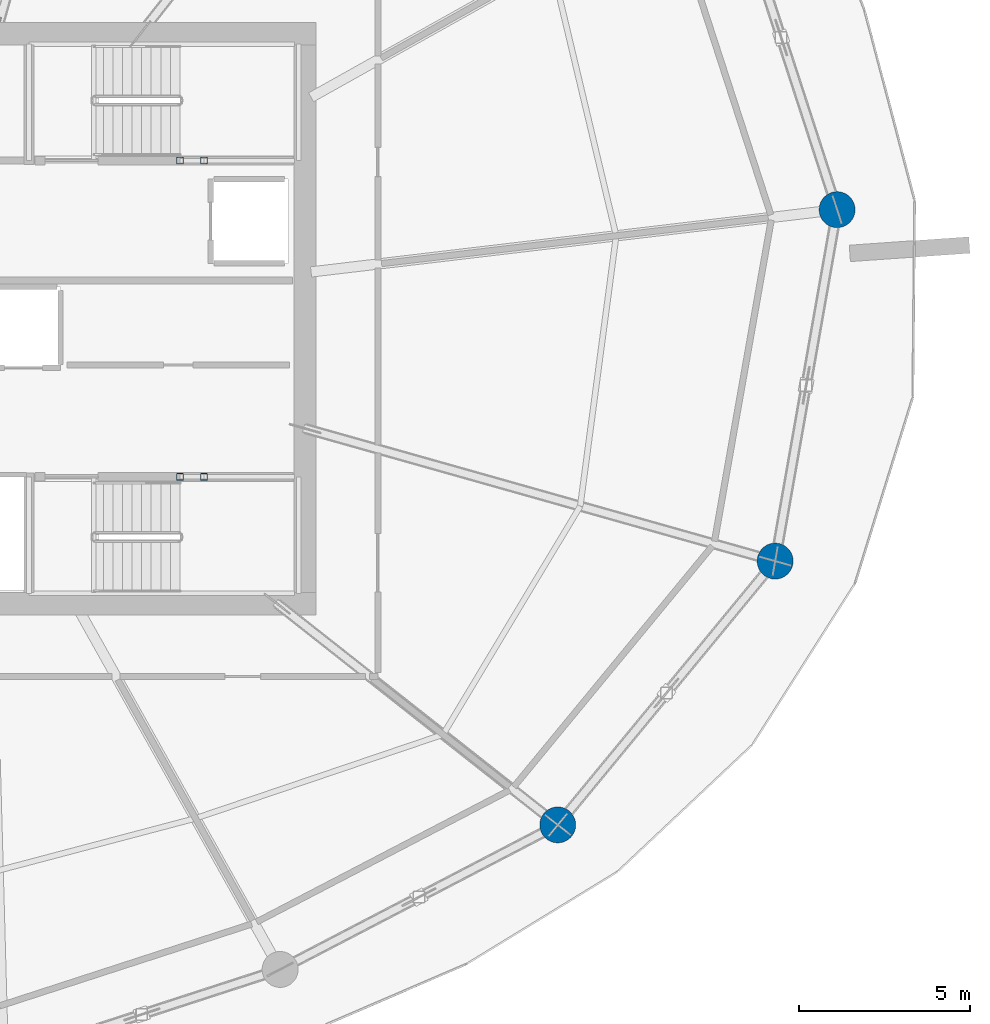
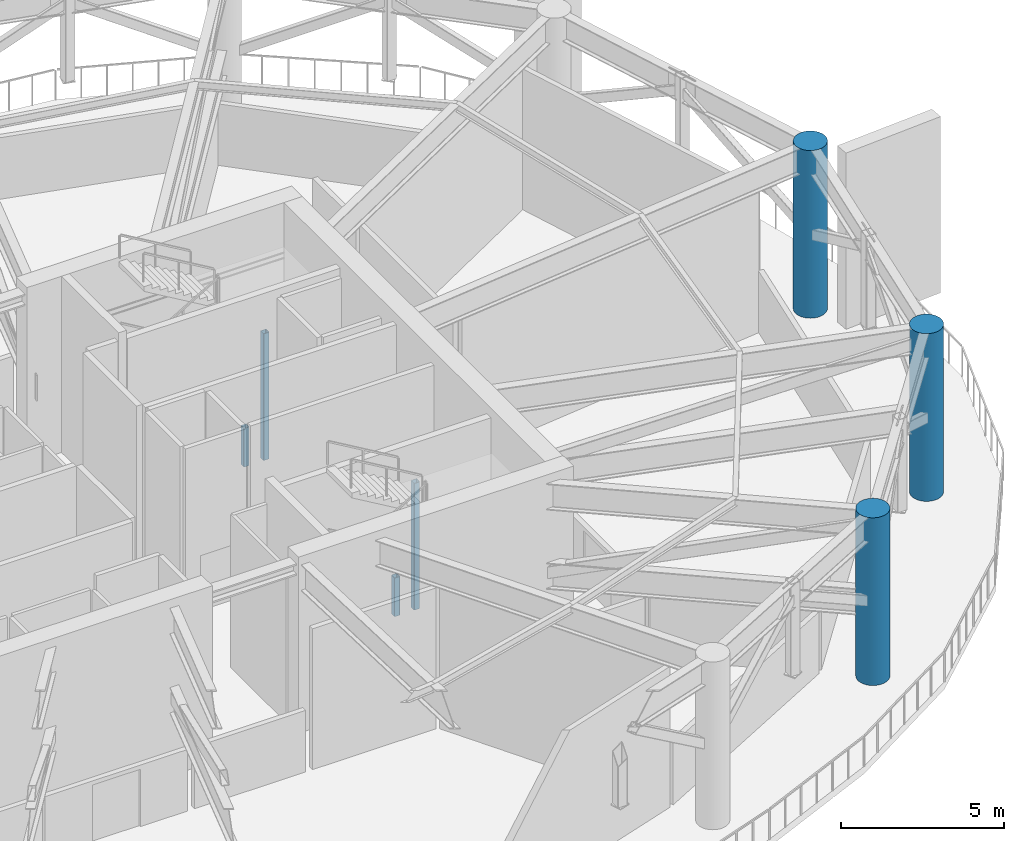
# One storey, part 3 of 20: 7 columns.
"""IFC4 building model written with IfcOpenShell, lengths in metres."""

from ifc_helpers import new_model, si_unit, direction, frame, origin, origin_2d, place, context, subcontext, project, spatial, hollow_rectangle, circle, extrude, material, material_profile, profile_set, type_object, element, save


model = new_model("IFC4")

# Units and contexts
model_context = context("Model", 3, precision=1e-05, world=origin(), true_north=direction((0.0, 1.0)))
body_context = subcontext(model_context, "Body", "Model", "MODEL_VIEW")
ifc_project = project(units=[si_unit("LENGTHUNIT", "METRE"), si_unit("AREAUNIT", "SQUARE_METRE"), si_unit("VOLUMEUNIT", "CUBIC_METRE"), si_unit("PLANEANGLEUNIT", "RADIAN"), si_unit("MASSUNIT", "GRAM", prefix="KILO")], contexts=[model_context])

# Site, building, storey
site_placement = place(None, origin())
site = spatial("IfcSite", under=ifc_project, at=site_placement, CompositionType="ELEMENT")
building_placement = place(site_placement, origin())
building = spatial("IfcBuilding", under=site, at=building_placement, Name="Kazma Halo Residences", CompositionType="ELEMENT")
storey_placement = place(building_placement, frame((0.0, 0.0, 225.300048828125)))
storey = spatial("IfcBuildingStorey", under=building, at=storey_placement, Name="L57", CompositionType="ELEMENT", Elevation=225.300048828125)

# Columns
ifc_material_1 = material(Name="Steel S355", Category="steel")
ifc_material_profile_1 = material_profile(ifc_material_1, hollow_rectangle(XDim=0.199951171875, YDim=0.199951171875, WallThickness=0.010009765625, InnerFilletRadius=0.010009765625, OuterFilletRadius=0.02001953125, at=origin_2d()), Name="SHS200x200x10")
ifc_profile_set_1 = profile_set([ifc_material_profile_1], Name="Steel S355")
column_type_1 = type_object("IfcColumnType", Name="COL-LP-SHS200", PredefinedType="COLUMN", material=ifc_profile_set_1)
column_1_placement = place(storey_placement, frame((55.719970703125, 46.6201171875, 0.0), z_axis=(0.0, 0.0, 1.0), x_axis=(1.0, 0.0, 0.0)))
element("IfcColumn", 1, at=column_1_placement, inside=storey, type_object=column_type_1, Name="L57 ST-02 landing pilaster 1", PredefinedType="COLUMN", context=body_context, shape_type="SweptSolid", body=[
    extrude(hollow_rectangle(XDim=0.199951171875, YDim=0.199951171875, WallThickness=0.010009765625, InnerFilletRadius=0.010009765625, OuterFilletRadius=0.02001953125, at=origin_2d()), origin(), (0.0, 0.0, 1.0), 1.445068359375),
])
column_2_placement = place(storey_placement, frame((56.419921875, 46.6201171875, 0.0), z_axis=(0.0, 0.0, 1.0), x_axis=(1.0, 0.0, 0.0)))
element("IfcColumn", 2, at=column_2_placement, inside=storey, type_object=column_type_1, Name="L57 ST-02 landing pilaster 3", PredefinedType="COLUMN", context=body_context, shape_type="SweptSolid", body=[
    extrude(hollow_rectangle(XDim=0.199951171875, YDim=0.199951171875, WallThickness=0.010009765625, InnerFilletRadius=0.010009765625, OuterFilletRadius=0.02001953125, at=origin_2d()), origin(), (0.0, 0.0, 1.0), 4.744873046875),
])
column_3_placement = place(storey_placement, frame((55.719970703125, 37.3798828125, 0.0), z_axis=(0.0, 0.0, 1.0), x_axis=(1.0, 0.0, 0.0)))
element("IfcColumn", 3, at=column_3_placement, inside=storey, type_object=column_type_1, Name="L57 ST-03 landing pilaster 1", PredefinedType="COLUMN", context=body_context, shape_type="SweptSolid", body=[
    extrude(hollow_rectangle(XDim=0.199951171875, YDim=0.199951171875, WallThickness=0.010009765625, InnerFilletRadius=0.010009765625, OuterFilletRadius=0.02001953125, at=origin_2d()), origin(), (0.0, 0.0, 1.0), 1.445068359375),
])
column_4_placement = place(storey_placement, frame((56.419921875, 37.3798828125, 0.0), z_axis=(0.0, 0.0, 1.0), x_axis=(1.0, 0.0, 0.0)))
element("IfcColumn", 4, at=column_4_placement, inside=storey, type_object=column_type_1, Name="L57 ST-03 landing pilaster 3", PredefinedType="COLUMN", context=body_context, shape_type="SweptSolid", body=[
    extrude(hollow_rectangle(XDim=0.199951171875, YDim=0.199951171875, WallThickness=0.010009765625, InnerFilletRadius=0.010009765625, OuterFilletRadius=0.02001953125, at=origin_2d()), origin(), (0.0, 0.0, 1.0), 4.744873046875),
])
ifc_material_2 = material(Name="Concrete C80/95", Category="concrete")
ifc_material_profile_2 = material_profile(ifc_material_2, circle(Radius=0.52490234375, at=origin_2d()), Name="CIRC1050")
ifc_profile_set_2 = profile_set([ifc_material_profile_2], Name="Concrete C80/95")
column_type_2 = type_object("IfcColumnType", Name="COL-PERIM-1050", PredefinedType="COLUMN", material=ifc_profile_set_2)
for number, where, z_axis, x_axis, name in (
    (5, (66.755126953125, 27.214599609375, 0.0), (0.0, 0.0, 1.0), (1.0, 0.0, 0.0), "L57 perimeter ring column P14"),
    (6, (73.10546875, 34.919677734375, 0.0), (0.0, 0.0, 1.0), (1.0, 0.0, 0.0), "L57 perimeter ring column P15"),
    (7, (74.91552734375, 45.185791015625, 0.0), (0.0, 0.0, 1.0), (1.0, 0.0, 0.0), "L57 perimeter ring column P16"),
):
    element("IfcColumn", number, at=place(storey_placement, frame(where, z_axis=z_axis, x_axis=x_axis)), inside=storey, type_object=column_type_2, Name=name, PredefinedType="COLUMN", context=body_context, shape_type="SweptSolid", body=[
        extrude(circle(Radius=0.52490234375, at=origin_2d()), origin(), (0.0, 0.0, 1.0), 6.280029296875),
    ])

save(model, "model.ifc")
